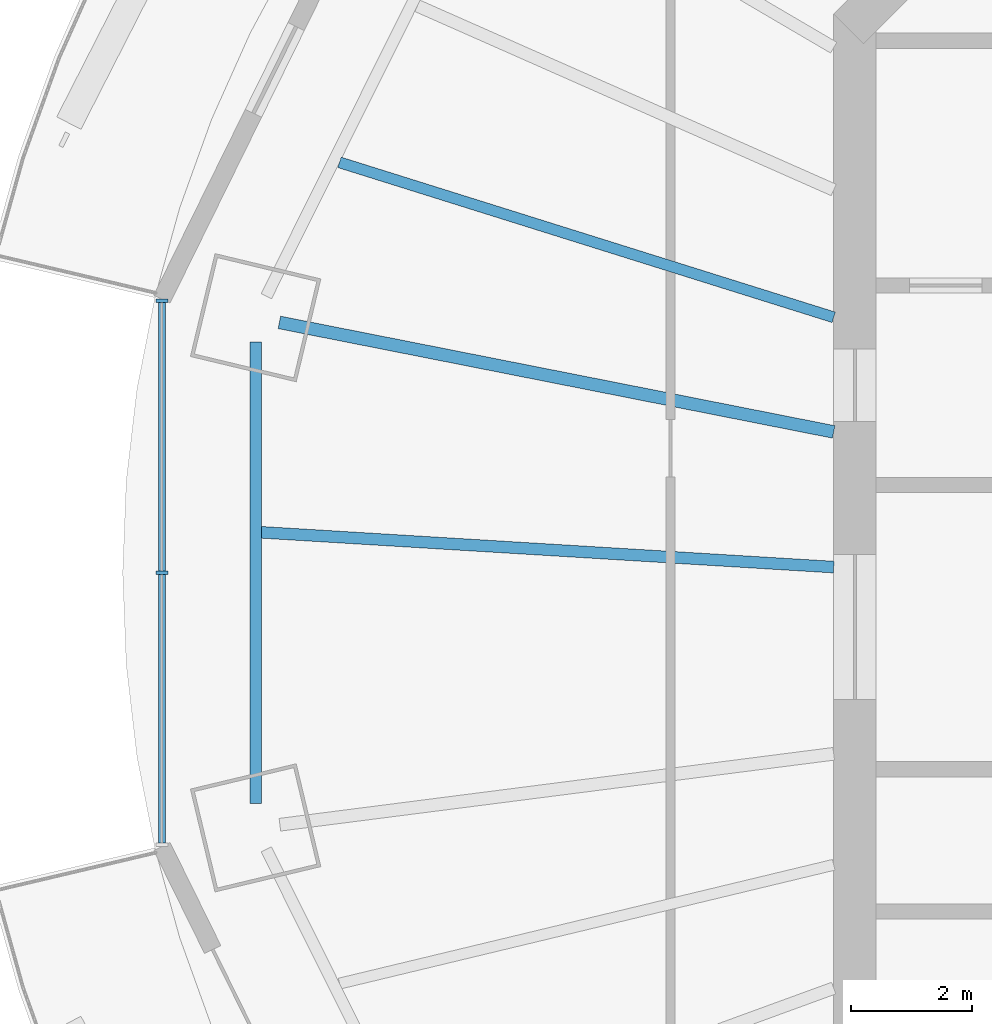
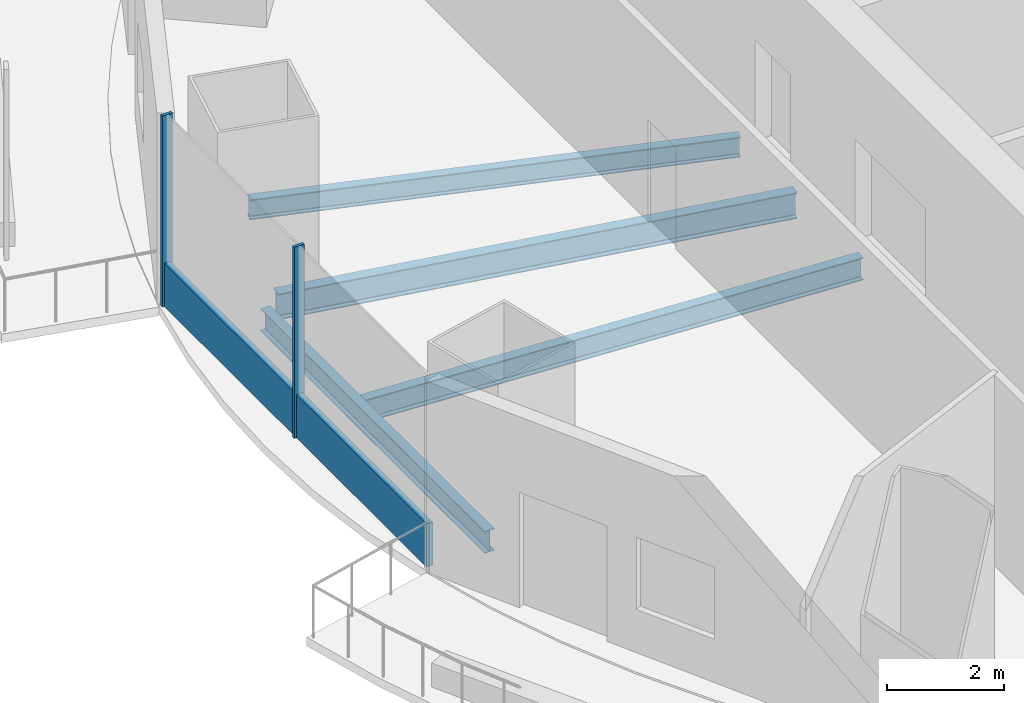
# One storey, part 3 of 16: 4 beams, 3 members, 1 element without a shape of its own.
"""IFC4 building model written with IfcOpenShell, lengths in metres."""

import ifcopenshell
import ifcopenshell.guid

model = None  # the IFC model being written
_history = None  # IfcOwnerHistory: only IFC2X3 demands one
_inside = {}  # id of a spatial element -> (the spatial element, [elements in it])
_under = {}  # id of a project, library or spatial element -> (it, [spatial elements below it])
_declared = {}  # id of a project -> (the project, [libraries it declares])
_typed = {}  # id of a type object -> (the type object, [elements of that type])
_made_of = {}  # id of a material, layer set ... -> (it, [elements and type objects made of it])


def new_model(schema):
    """Start an empty IFC model of exactly this schema.

    Asked for "IFC4X3", IfcOpenShell would pick the latest addendum, in which some entities
    have other attributes; the version numbers below select the first issue.
    IFC2X3 requires an IfcOwnerHistory on every rooted entity: one is made here for all.
    """
    global model, _history
    if schema == "IFC4X3":
        model = ifcopenshell.file(schema_version=(4, 3, 0, 0))
    else:
        model = ifcopenshell.file(schema=schema)
    _inside.clear()
    _under.clear()
    _declared.clear()
    _typed.clear()
    _made_of.clear()
    _history = None
    if model.schema == "IFC2X3":
        org = make("IfcOrganization", Name="unknown")
        user = make(
            "IfcPersonAndOrganization",
            ThePerson=make("IfcPerson", FamilyName="unknown"),
            TheOrganization=org,
        )
        app = make(
            "IfcApplication",
            ApplicationDeveloper=org,
            Version="unknown",
            ApplicationFullName="unknown",
            ApplicationIdentifier="unknown",
        )
        _history = make(
            "IfcOwnerHistory",
            OwningUser=user,
            OwningApplication=app,
            ChangeAction="ADDED",
            CreationDate=0,
        )
    return model


def make(cls, **values):
    """One entity of the class cls with the attributes given. An attribute that is None is left unset."""
    return model.create_entity(
        cls, **{name: value for name, value in values.items() if value is not None}
    )


def rooted(cls, **values):
    """An entity with a GlobalId (a new one), such as an element, a storey or a relation."""
    return make(cls, GlobalId=ifcopenshell.guid.new(), OwnerHistory=_history, **values)


def si_unit(unit_type, name, prefix=None):
    """IfcSIUnit, for example si_unit("LENGTHUNIT", "METRE", prefix="MILLI")."""
    return make("IfcSIUnit", UnitType=unit_type, Prefix=prefix, Name=name)


def assignment(units):
    """IfcUnitAssignment: the units of a project."""
    return None if units is None else make("IfcUnitAssignment", Units=units)


def point(xyz):
    """IfcCartesianPoint."""
    return None if xyz is None else make("IfcCartesianPoint", Coordinates=xyz)


def direction(xyz):
    """IfcDirection."""
    return None if xyz is None else make("IfcDirection", DirectionRatios=xyz)


def frame(location, z_axis=None, x_axis=None):
    """IfcAxis2Placement3D, a coordinate frame: its origin and axes. An axis left out is left unset."""
    return make(
        "IfcAxis2Placement3D",
        Location=point(location),
        Axis=direction(z_axis),
        RefDirection=direction(x_axis),
    )


def frame_2d(location, x_axis=None):
    """IfcAxis2Placement2D, a coordinate frame in the plane: its origin and x axis."""
    return make(
        "IfcAxis2Placement2D", Location=point(location), RefDirection=direction(x_axis)
    )


def origin():
    """The frame at (0, 0, 0) with its axes left unset."""
    return frame((0.0, 0.0, 0.0))


def origin_2d():
    """The frame at (0, 0) in the plane with its x axis left unset."""
    return frame_2d((0.0, 0.0))


def place(relative_to, where):
    """IfcLocalPlacement: puts the frame where relative to a parent placement (None: the world)."""
    return make(
        "IfcLocalPlacement", PlacementRelTo=relative_to, RelativePlacement=where
    )


def context(
    kind, dimensions, precision=None, world=None, true_north=None, identifier=None
):
    """IfcGeometricRepresentationContext, for example the 3D "Model" context."""
    return make(
        "IfcGeometricRepresentationContext",
        ContextIdentifier=identifier,
        ContextType=kind,
        CoordinateSpaceDimension=dimensions,
        Precision=precision,
        WorldCoordinateSystem=world,
        TrueNorth=true_north,
    )


def subcontext(parent, identifier, kind, view, scale=None):
    """IfcGeometricRepresentationSubContext, for example "Body" below "Model"."""
    return make(
        "IfcGeometricRepresentationSubContext",
        ContextIdentifier=identifier,
        ContextType=kind,
        ParentContext=parent,
        TargetScale=scale,
        TargetView=view,
    )


def project(units=None, contexts=None):
    """IfcProject with its units and contexts."""
    return rooted(
        "IfcProject",
        Name="project",
        RepresentationContexts=contexts,
        UnitsInContext=assignment(units),
    )


def spatial(cls, under=None, at=None, **own):
    """A site, building, storey or space (cls), placed at a placement, below another one or the project."""
    s = rooted(cls, ObjectPlacement=at, **own)
    if under is not None:
        _under.setdefault(under.id(), (under, []))[1].append(s)
    return s


def profile(cls, at=None, kind="AREA", **sizes):
    """A parametric profile (cls). Its sizes go by their IFC names, for example OverallWidth=200.0."""
    return make(cls, ProfileType=kind, Position=at, **sizes)


def rectangle(**sizes):
    """IfcRectangleProfileDef."""
    return profile("IfcRectangleProfileDef", **sizes)


def i_section(**sizes):
    """IfcIShapeProfileDef."""
    return profile("IfcIShapeProfileDef", **sizes)


def extrude(swept, where, along, depth):
    """IfcExtrudedAreaSolid: the profile swept, set in the frame where, extruded along a direction by depth."""
    return make(
        "IfcExtrudedAreaSolid",
        SweptArea=swept,
        Position=where,
        ExtrudedDirection=direction(along),
        Depth=depth,
    )


def shape(context_of_items, identifier, shape_type, items):
    """IfcShapeRepresentation: the items that make up one representation, for example the "Body"."""
    return make(
        "IfcShapeRepresentation",
        ContextOfItems=context_of_items,
        RepresentationIdentifier=identifier,
        RepresentationType=shape_type,
        Items=items,
    )


def material(Name=None, Category=None):
    """IfcMaterial."""
    return make("IfcMaterial", Name=Name, Category=Category)


def material_profile(
    of_material, cross_section, Name=None, Category=None, Priority=None
):
    """IfcMaterialProfile: a cross section and its material."""
    return make(
        "IfcMaterialProfile",
        Name=Name,
        Material=of_material,
        Profile=cross_section,
        Priority=Priority,
        Category=Category,
    )


def profile_set(profiles, Name=None, composite=None):
    """IfcMaterialProfileSet."""
    return make(
        "IfcMaterialProfileSet",
        Name=Name,
        MaterialProfiles=profiles,
        CompositeProfile=composite,
    )


def made_of(thing, what):
    """Note that an element or type object is made of a material, layer set ...; save() writes the relation."""
    if what is not None:
        _made_of.setdefault(what.id(), (what, []))[1].append(thing)
    return thing


def type_object(cls, material=None, **own):
    """A type object (cls), such as IfcWallType, which elements share."""
    return made_of(rooted(cls, **own), material)


def element(
    cls,
    number,
    at=None,
    inside=None,
    cuts=None,
    type_object=None,
    material=None,
    context=None,
    identifier="Body",
    shape_type=None,
    held_by="IfcProductDefinitionShape",
    body=None,
    shapes=None,
    **own,
):
    """One element of the class cls, such as IfcWall. Its Tag is "e" and its number.

    at: its placement. inside: the storey or other place that contains it. cuts: it is an
    opening in that element (IfcRelVoidsElement). A single representation is given by context,
    identifier, shape_type and body (its items); several are given by shapes. held_by: the class
    of the entity that holds the representations. save() writes the other relations.
    """
    e = rooted(cls, Tag="e%d" % number, ObjectPlacement=at, **own)
    if body is not None:
        shapes = [shape(context, identifier, shape_type, body)]
    if shapes is not None:
        e.Representation = make(held_by, Representations=shapes)
    if inside is not None:
        _inside.setdefault(inside.id(), (inside, []))[1].append(e)
    if cuts is not None:
        rooted(
            "IfcRelVoidsElement", RelatingBuildingElement=cuts, RelatedOpeningElement=e
        )
    if type_object is not None:
        _typed.setdefault(type_object.id(), (type_object, []))[1].append(e)
    return made_of(e, material)


def aggregate(whole, parts):
    """IfcRelAggregates: a whole, such as a stair, and the parts it consists of."""
    return rooted("IfcRelAggregates", RelatingObject=whole, RelatedObjects=parts)


def save(model, path):
    """Write the relations noted so far, then the file.

    IfcRelAggregates (storeys below a building ...), IfcRelContainedInSpatialStructure (elements
    in a storey), IfcRelDefinesByType, IfcRelAssociatesMaterial and IfcRelDeclares: one each for
    every whole, place, type object, material and project.
    """
    for whole, parts in _under.values():
        aggregate(whole, parts)
    for where, things in _inside.values():
        rooted(
            "IfcRelContainedInSpatialStructure",
            RelatedElements=things,
            RelatingStructure=where,
        )
    for kind, things in _typed.values():
        rooted("IfcRelDefinesByType", RelatedObjects=things, RelatingType=kind)
    for what, things in _made_of.values():
        rooted("IfcRelAssociatesMaterial", RelatedObjects=things, RelatingMaterial=what)
    for by, libraries in _declared.values():
        rooted("IfcRelDeclares", RelatingContext=by, RelatedDefinitions=libraries)
    model.write(path)


model = new_model("IFC4")

# Units and contexts
model_context = context("Model", 3, precision=1e-05, world=origin(), true_north=direction((0.0, 1.0)))
body_context = subcontext(model_context, "Body", "Model", "MODEL_VIEW")
ifc_project = project(units=[si_unit("LENGTHUNIT", "METRE"), si_unit("AREAUNIT", "SQUARE_METRE"), si_unit("VOLUMEUNIT", "CUBIC_METRE"), si_unit("PLANEANGLEUNIT", "RADIAN"), si_unit("MASSUNIT", "GRAM", prefix="KILO")], contexts=[model_context])

# Site, building, storey
site_placement = place(None, origin())
site = spatial("IfcSite", under=ifc_project, at=site_placement, CompositionType="ELEMENT")
building_placement = place(site_placement, origin())
building = spatial("IfcBuilding", under=site, at=building_placement, Name="Marenthal Gate Tower", CompositionType="ELEMENT")
storey_placement = place(building_placement, frame((0.0, 0.0, 330.14990234375)))
storey = spatial("IfcBuildingStorey", under=building, at=storey_placement, Name="L74", CompositionType="ELEMENT", Elevation=330.14990234375)

# Curtain wall, members
ifc_material_1 = material(Name="Aluminium and glass", Category="aluminium")
curtain_wall_type = type_object("IfcCurtainWallType", Name="Curtain wall typical high", PredefinedType="NOTDEFINED", material=ifc_material_1)
curtain_wall_placement = place(storey_placement, origin())
curtain_wall = element("IfcCurtainWall", 1, at=curtain_wall_placement, inside=storey, type_object=curtain_wall_type, Name="Curtain wall L74 bay 8", PredefinedType="NOTDEFINED")
ifc_material_2 = material(Name="Aluminium", Category="aluminium")
ifc_material_profile_1 = material_profile(ifc_material_2, rectangle(XDim=0.199951171875, YDim=0.06005859375, at=origin_2d()), Name="60x200 aluminium mullion")
ifc_profile_set_1 = profile_set([ifc_material_profile_1], Name="Aluminium")
member_type_1 = type_object("IfcMemberType", Name="Mullion 60x200 typical high", PredefinedType="MULLION", material=ifc_profile_set_1)
member_1_placement = place(storey_placement, frame((-27.4619140625, 5.3974609375, 0.0), z_axis=(0.0, 0.0, 1.0), x_axis=(1.0, 0.0, 0.0)))
member_1 = element("IfcMember", 2, at=member_1_placement, type_object=member_type_1, Name="Mullion L74 bay 8.1", PredefinedType="MULLION", context=body_context, shape_type="SweptSolid", body=[
    extrude(rectangle(XDim=0.199951171875, YDim=0.06005859375, at=origin_2d()), origin(), (0.0, 0.0, 1.0), 3.97021484375),
])
member_2_placement = place(storey_placement, frame((-27.4619140625, 0.89990234375, 0.0), z_axis=(0.0, 0.0, 1.0), x_axis=(1.0, 0.0, 0.0)))
member_2 = element("IfcMember", 3, at=member_2_placement, type_object=member_type_1, Name="Mullion L74 bay 8.2", PredefinedType="MULLION", context=body_context, shape_type="SweptSolid", body=[
    extrude(rectangle(XDim=0.199951171875, YDim=0.06005859375, at=origin_2d()), origin(), (0.0, 0.0, 1.0), 3.97021484375),
])
ifc_material_3 = material(Name="Aluminium", Category="aluminium")
ifc_material_profile_2 = material_profile(ifc_material_3, rectangle(XDim=0.1201171875, YDim=0.89990234375, at=origin_2d()), Name="120x900 aluminium transom")
ifc_profile_set_2 = profile_set([ifc_material_profile_2], Name="Aluminium")
member_type_2 = type_object("IfcMemberType", Name="Transom 120x900 typical high", PredefinedType="USERDEFINED", material=ifc_profile_set_2)
member_3_placement = place(storey_placement, frame((-27.4619140625, 5.367431640625, 0.4501953125), z_axis=(0.0, -1.0, 0.0), x_axis=(1.0, 0.0, 0.0)))
member_3 = element("IfcMember", 4, at=member_3_placement, type_object=member_type_2, Name="Transom L74 bay 8", ObjectType="TRANSOM", PredefinedType="USERDEFINED", context=body_context, shape_type="SweptSolid", body=[
    extrude(rectangle(XDim=0.1201171875, YDim=0.89990234375, at=origin_2d()), origin(), (0.0, 0.0, 1.0), 8.934814453125),
])
aggregate(curtain_wall, [member_1, member_2, member_3])

# Beams
ifc_material_4 = material(Name="Steel S355", Category="steel")
ifc_material_profile_3 = material_profile(ifc_material_4, i_section(OverallWidth=0.180908203125, OverallDepth=0.4169921875, WebThickness=0.010986328125, FlangeThickness=0.018310546875, FilletRadius=0.01025390625, at=origin_2d()), Name="W410X85")
ifc_profile_set_3 = profile_set([ifc_material_profile_3], Name="Steel S355")
beam_type_1 = type_object("IfcBeamType", Name="W410X85 beam", PredefinedType="BEAM", material=ifc_profile_set_3)
beam_1_placement = place(storey_placement, frame((-24.525390625, 7.68896484375, -0.388427734375), z_axis=(0.954206790914, -0.299147789853, 0.0), x_axis=(0.299147789853, 0.954206790914, 0.0)))
element("IfcBeam", 5, at=beam_1_placement, inside=storey, type_object=beam_type_1, Name="BM-L74-27", PredefinedType="BEAM", context=body_context, shape_type="SweptSolid", body=[
    extrude(i_section(OverallWidth=0.180908203125, OverallDepth=0.4169921875, WebThickness=0.010986328125, FlangeThickness=0.018310546875, FilletRadius=0.01025390625, at=origin_2d()), origin(), (0.0, 0.0, 1.0), 8.567626953125),
])
ifc_material_5 = material(Name="Steel S355", Category="steel")
ifc_material_profile_4 = material_profile(ifc_material_5, i_section(OverallWidth=0.19091796875, OverallDepth=0.45703125, WebThickness=0.009033203125, FlangeThickness=0.014404296875, FilletRadius=0.01025390625, at=origin_2d()), Name="W460X74")
ifc_profile_set_4 = profile_set([ifc_material_profile_4], Name="Steel S355")
beam_type_2 = type_object("IfcBeamType", Name="W460X74 beam", PredefinedType="BEAM", material=ifc_profile_set_4)
beam_2_placement = place(storey_placement, frame((-25.912109375, 4.719482421875, -0.408447265625), z_axis=(0.0, -1.0, 0.0), x_axis=(1.0, 0.0, 0.0)))
element("IfcBeam", 6, at=beam_2_placement, inside=storey, type_object=beam_type_2, Name="BM-L74-48", PredefinedType="BEAM", context=body_context, shape_type="SweptSolid", body=[
    extrude(i_section(OverallWidth=0.19091796875, OverallDepth=0.45703125, WebThickness=0.009033203125, FlangeThickness=0.014404296875, FilletRadius=0.01025390625, at=origin_2d()), origin(), (0.0, 0.0, 1.0), 7.638916015625),
])
ifc_material_6 = material(Name="Steel S355", Category="steel")
ifc_material_profile_5 = material_profile(ifc_material_6, i_section(OverallWidth=0.193115234375, OverallDepth=0.467041015625, WebThickness=0.011474609375, FlangeThickness=0.01904296875, FilletRadius=0.010009765625, at=origin_2d()), Name="W460X97")
ifc_profile_set_5 = profile_set([ifc_material_profile_5], Name="Steel S355")
beam_type_3 = type_object("IfcBeamType", Name="W460X97 beam", PredefinedType="BEAM", material=ifc_profile_set_5)
beam_3_placement = place(storey_placement, frame((-25.816650390625, 1.5693359375, -0.413330078125), z_axis=(0.998157599477, -0.060674596053, 0.0), x_axis=(0.060674596053, 0.998157599477, 0.0)))
element("IfcBeam", 7, at=beam_3_placement, inside=storey, type_object=beam_type_3, Name="BM-L74-28", PredefinedType="BEAM", context=body_context, shape_type="SweptSolid", body=[
    extrude(i_section(OverallWidth=0.193115234375, OverallDepth=0.467041015625, WebThickness=0.011474609375, FlangeThickness=0.01904296875, FilletRadius=0.010009765625, at=origin_2d()), origin(), (0.0, 0.0, 1.0), 9.484130859375),
])
ifc_material_7 = material(Name="Steel S355", Category="steel")
ifc_material_profile_6 = material_profile(ifc_material_7, i_section(OverallWidth=0.2099609375, OverallDepth=0.535888671875, WebThickness=0.010986328125, FlangeThickness=0.017333984375, FilletRadius=0.0126953125, at=origin_2d()), Name="W530X101")
ifc_profile_set_6 = profile_set([ifc_material_profile_6], Name="Steel S355")
beam_type_4 = type_object("IfcBeamType", Name="W530X101 beam", PredefinedType="BEAM", material=ifc_profile_set_6)
beam_4_placement = place(storey_placement, frame((-25.51904296875, 5.04150390625, -0.447998046875), z_axis=(0.98103613899, -0.193824905509, 0.0), x_axis=(0.193824905509, 0.98103613899, 0.0)))
element("IfcBeam", 8, at=beam_4_placement, inside=storey, type_object=beam_type_4, Name="BM-L74-08", PredefinedType="BEAM", context=body_context, shape_type="SweptSolid", body=[
    extrude(i_section(OverallWidth=0.2099609375, OverallDepth=0.535888671875, WebThickness=0.010986328125, FlangeThickness=0.017333984375, FilletRadius=0.0126953125, at=origin_2d()), origin(), (0.0, 0.0, 1.0), 9.34619140625),
])

save(model, "model.ifc")
